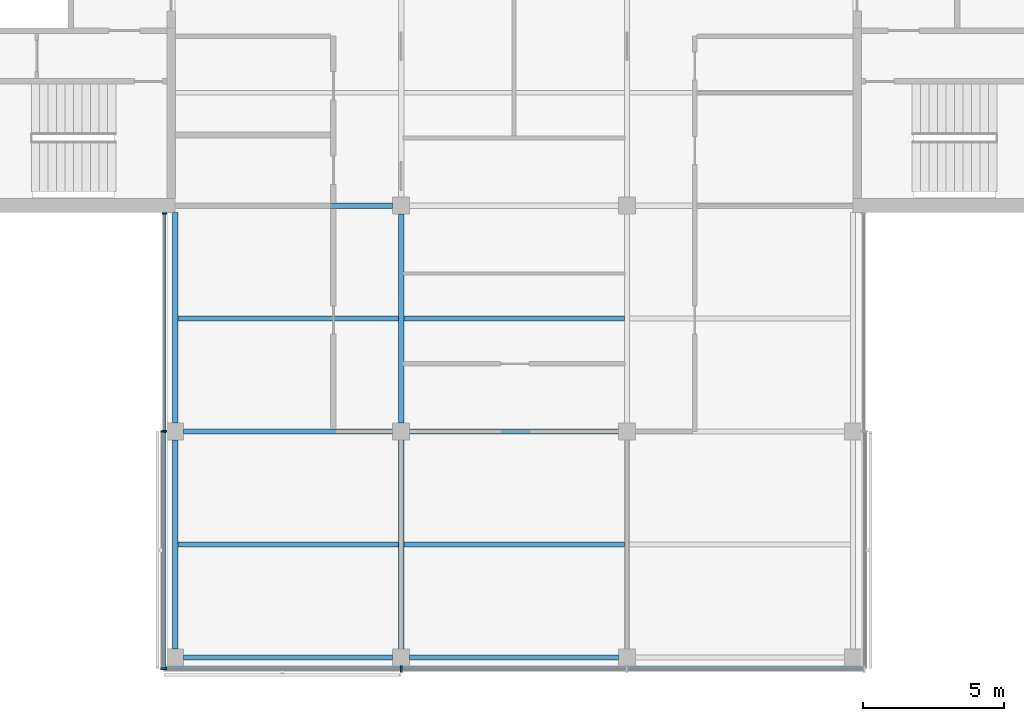
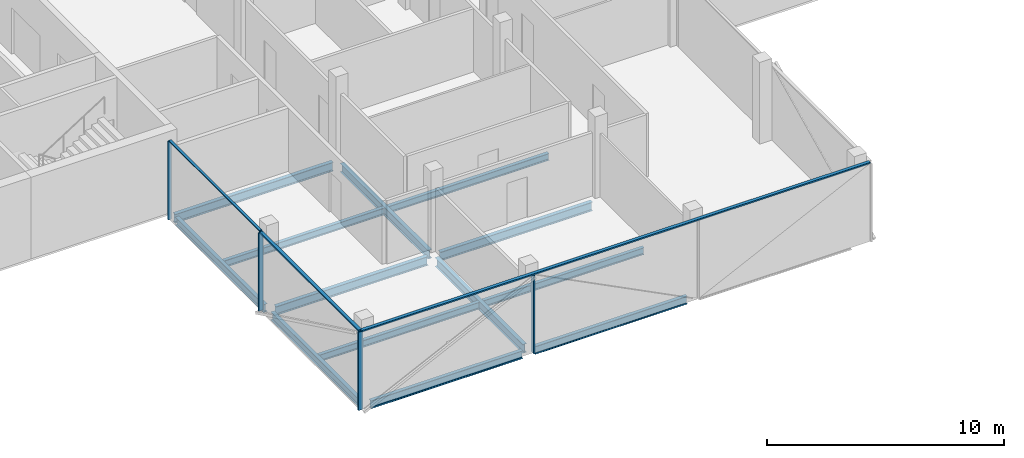
# One storey, part 2 of 16: 13 beams, 8 members, 3 elements without a shape of their own.
"""IFC4 building model written with IfcOpenShell, lengths in metres."""

from ifc_helpers import new_model, si_unit, direction, frame, origin, origin_2d, place, context, subcontext, project, spatial, rectangle, i_section, extrude, material, material_profile, profile_set, type_object, element, aggregate, save


model = new_model("IFC4")

# Units and contexts
model_context = context("Model", 3, precision=1e-05, world=origin(), true_north=direction((0.0, 1.0)))
body_context = subcontext(model_context, "Body", "Model", "MODEL_VIEW")
ifc_project = project(units=[si_unit("LENGTHUNIT", "METRE"), si_unit("AREAUNIT", "SQUARE_METRE"), si_unit("VOLUMEUNIT", "CUBIC_METRE"), si_unit("PLANEANGLEUNIT", "RADIAN"), si_unit("MASSUNIT", "GRAM", prefix="KILO")], contexts=[model_context])

# Site, building, storey
site_placement = place(None, origin())
site = spatial("IfcSite", under=ifc_project, at=site_placement, CompositionType="ELEMENT")
building_placement = place(site_placement, origin())
building = spatial("IfcBuilding", under=site, at=building_placement, Name="Crosswind Convention Tower", CompositionType="ELEMENT")
storey_placement = place(building_placement, frame((0.0, 0.0, 299.699951171875)))
storey = spatial("IfcBuildingStorey", under=building, at=storey_placement, Name="L65", CompositionType="ELEMENT", Elevation=299.699951171875)

# Beams
ifc_material_1 = material(Name="Steel S355", Category="steel")
ifc_material_profile_1 = material_profile(ifc_material_1, i_section(OverallWidth=0.177734375, OverallDepth=0.406494140625, WebThickness=0.0078125, FlangeThickness=0.0126953125, FilletRadius=0.01025390625, at=origin_2d()), Name="UB 406x178x60")
ifc_profile_set_1 = profile_set([ifc_material_profile_1], Name="Steel S355")
beam_type_1 = type_object("IfcBeamType", Name="Edge beam UB 406x178x60", PredefinedType="SPANDREL", material=ifc_profile_set_1)
beam_1_placement = place(storey_placement, frame((113.0, 72.300048828125, -0.503173828125), z_axis=(0.0, 1.0, 0.0), x_axis=(-1.0, 0.0, 0.0)))
element("IfcBeam", 1, at=beam_1_placement, inside=storey, type_object=beam_type_1, Name="B15 L65 edge beam 1", PredefinedType="SPANDREL", context=body_context, shape_type="SweptSolid", body=[
    extrude(i_section(OverallWidth=0.177734375, OverallDepth=0.406494140625, WebThickness=0.0078125, FlangeThickness=0.0126953125, FilletRadius=0.01025390625, at=origin_2d()), origin(), (0.0, 0.0, 1.0), 7.39990234375),
])
beam_2_placement = place(storey_placement, frame((113.0, 80.300048828125, -0.503173828125), z_axis=(0.0, 1.0, 0.0), x_axis=(-1.0, 0.0, 0.0)))
element("IfcBeam", 2, at=beam_2_placement, inside=storey, type_object=beam_type_1, Name="B15 L65 edge beam 2", PredefinedType="SPANDREL", context=body_context, shape_type="SweptSolid", body=[
    extrude(i_section(OverallWidth=0.177734375, OverallDepth=0.406494140625, WebThickness=0.0078125, FlangeThickness=0.0126953125, FilletRadius=0.01025390625, at=origin_2d()), origin(), (0.0, 0.0, 1.0), 7.449951171875),
])
for number, where, z_axis, x_axis, name in (
    (3, (113.300048828125, 72.0, -0.503173828125), (1.0, 0.0, 0.0), (0.0, 1.0, 0.0), "B15 L65 edge beam 5"),
    (4, (121.300048828125, 72.0, -0.503173828125), (1.0, 0.0, 0.0), (0.0, 1.0, 0.0), "B15 L65 edge beam 7"),
):
    element("IfcBeam", number, at=place(storey_placement, frame(where, z_axis=z_axis, x_axis=x_axis)), inside=storey, type_object=beam_type_1, Name=name, PredefinedType="SPANDREL", context=body_context, shape_type="SweptSolid", body=[
        extrude(i_section(OverallWidth=0.177734375, OverallDepth=0.406494140625, WebThickness=0.0078125, FlangeThickness=0.0126953125, FilletRadius=0.01025390625, at=origin_2d()), origin(), (0.0, 0.0, 1.0), 7.39990234375),
    ])
ifc_material_profile_2 = material_profile(ifc_material_1, i_section(OverallWidth=0.18994140625, OverallDepth=0.45361328125, WebThickness=0.008544921875, FlangeThickness=0.0126953125, FilletRadius=0.01025390625, at=origin_2d()), Name="UB 457x191x67")
ifc_profile_set_2 = profile_set([ifc_material_profile_2], Name="Steel S355")
beam_type_2 = type_object("IfcBeamType", Name="Girder UB 457x191x67", PredefinedType="BEAM", material=ifc_profile_set_2)
for number, where, z_axis, x_axis, name in (
    (5, (113.300048828125, 80.0, -0.52685546875), (1.0, 0.0, 0.0), (0.0, 1.0, 0.0), "B1 L65 girder 1"),
    (6, (121.0, 72.300048828125, -0.52685546875), (0.0, 1.0, 0.0), (-1.0, 0.0, 0.0), "B1 L65 girder 3"),
    (7, (121.0, 80.300048828125, -0.52685546875), (0.0, 1.0, 0.0), (-1.0, 0.0, 0.0), "B1 L65 girder 4"),
    (8, (121.300048828125, 80.0, -0.52685546875), (1.0, 0.0, 0.0), (0.0, 1.0, 0.0), "B1 L65 girder 10"),
):
    element("IfcBeam", number, at=place(storey_placement, frame(where, z_axis=z_axis, x_axis=x_axis)), inside=storey, type_object=beam_type_2, Name=name, PredefinedType="BEAM", context=body_context, shape_type="SweptSolid", body=[
        extrude(i_section(OverallWidth=0.18994140625, OverallDepth=0.45361328125, WebThickness=0.008544921875, FlangeThickness=0.0126953125, FilletRadius=0.01025390625, at=origin_2d()), origin(), (0.0, 0.0, 1.0), 7.39990234375),
    ])
ifc_material_profile_3 = material_profile(ifc_material_1, i_section(OverallWidth=0.1904296875, OverallDepth=0.457275390625, WebThickness=0.009033203125, FlangeThickness=0.014404296875, FilletRadius=0.01025390625, at=origin_2d()), Name="UB 457x191x75")
ifc_profile_set_3 = profile_set([ifc_material_profile_3], Name="Steel S355")
beam_type_3 = type_object("IfcBeamType", Name="Girder at core wall UB 457x191x75", PredefinedType="BEAM", material=ifc_profile_set_3)
beam_3_placement = place(storey_placement, frame((113.0, 88.0, -0.528564453125), z_axis=(1.0, 0.0, 0.0), x_axis=(0.0, 1.0, 0.0)))
element("IfcBeam", 9, at=beam_3_placement, inside=storey, type_object=beam_type_3, Name="B22 L65 girder at core wall 1", PredefinedType="BEAM", context=body_context, shape_type="SweptSolid", body=[
    extrude(i_section(OverallWidth=0.1904296875, OverallDepth=0.457275390625, WebThickness=0.009033203125, FlangeThickness=0.014404296875, FilletRadius=0.01025390625, at=origin_2d()), origin(), (0.0, 0.0, 1.0), 7.699951171875),
])

# Curtain wall, members
ifc_material_2 = material(Name="Aluminium unitised curtain wall", Category="aluminium")
curtain_wall_type_1 = type_object("IfcCurtainWallType", Name="CORE END SLOT WALL 160", PredefinedType="USERDEFINED", material=ifc_material_2)
curtain_wall_1_placement = place(storey_placement, origin())
curtain_wall_1 = element("IfcCurtainWall", 10, at=curtain_wall_1_placement, inside=storey, type_object=curtain_wall_type_1, Name="CW6 L65 S-W.1-1 slot", ObjectType="UNITISED", PredefinedType="USERDEFINED")
ifc_material_3 = material(Name="Aluminium mullion", Category="aluminium")
ifc_material_profile_4 = material_profile(ifc_material_3, rectangle(XDim=0.159912109375, YDim=0.050048828125, at=origin_2d()), Name="AL 160X50")
ifc_profile_set_4 = profile_set([ifc_material_profile_4], Name="Aluminium mullion")
member_type_1 = type_object("IfcMemberType", Name="MULLION 50X160", PredefinedType="MULLION", material=ifc_profile_set_4)
member_1_placement = place(storey_placement, frame((112.6201171875, 87.72509765625, -0.300048828125), z_axis=(0.0, 0.0, 1.0), x_axis=(-1.0, 0.0, 0.0)))
member_1 = element("IfcMember", 11, at=member_1_placement, type_object=member_type_1, Name="CW6 mullion 1", PredefinedType="MULLION", context=body_context, shape_type="SweptSolid", body=[
    extrude(rectangle(XDim=0.159912109375, YDim=0.050048828125, at=origin_2d()), origin(), (0.0, 0.0, 1.0), 4.050048828125),
])
member_2_placement = place(storey_placement, frame((112.6201171875, 80.02490234375, -0.300048828125), z_axis=(0.0, 0.0, 1.0), x_axis=(-1.0, 0.0, 0.0)))
member_2 = element("IfcMember", 12, at=member_2_placement, type_object=member_type_1, Name="CW6 mullion 2", PredefinedType="MULLION", context=body_context, shape_type="SweptSolid", body=[
    extrude(rectangle(XDim=0.159912109375, YDim=0.050048828125, at=origin_2d()), origin(), (0.0, 0.0, 1.0), 4.050048828125),
])

curtain_wall_type_2 = type_object("IfcCurtainWallType", Name="OFFICE UNITISED WALL 220", PredefinedType="USERDEFINED", material=ifc_material_2)
curtain_wall_2_placement = place(storey_placement, origin())
curtain_wall_2 = element("IfcCurtainWall", 13, at=curtain_wall_2_placement, inside=storey, type_object=curtain_wall_type_2, Name="CW3 L65 S-W 1", ObjectType="UNITISED", PredefinedType="USERDEFINED")
ifc_material_profile_5 = material_profile(ifc_material_3, rectangle(XDim=0.219970703125, YDim=0.070068359375, at=origin_2d()), Name="AL 220X70")
ifc_profile_set_5 = profile_set([ifc_material_profile_5], Name="Aluminium mullion")
member_type_2 = type_object("IfcMemberType", Name="MULLION 70X220", PredefinedType="MULLION", material=ifc_profile_set_5)
member_3_placement = place(storey_placement, frame((112.590087890625, 80.0, -0.300048828125), z_axis=(0.0, 0.0, 1.0), x_axis=(-1.0, 0.0, 0.0)))
member_3 = element("IfcMember", 14, at=member_3_placement, type_object=member_type_2, Name="CW3 mullion 1", PredefinedType="MULLION", context=body_context, shape_type="SweptSolid", body=[
    extrude(rectangle(XDim=0.219970703125, YDim=0.070068359375, at=origin_2d()), origin(), (0.0, 0.0, 1.0), 4.030029296875),
])
member_4_placement = place(storey_placement, frame((112.590087890625, 71.590087890625, -0.300048828125), z_axis=(0.0, 0.0, 1.0), x_axis=(-1.0, 0.0, 0.0)))
member_4 = element("IfcMember", 15, at=member_4_placement, type_object=member_type_2, Name="CW3 mullion 2", PredefinedType="MULLION", context=body_context, shape_type="SweptSolid", body=[
    extrude(rectangle(XDim=0.219970703125, YDim=0.070068359375, at=origin_2d()), origin(), (0.0, 0.0, 1.0), 4.030029296875),
])

# Curtain wall, member
curtain_wall_3_placement = place(storey_placement, origin())
curtain_wall_3 = element("IfcCurtainWall", 16, at=curtain_wall_3_placement, inside=storey, type_object=curtain_wall_type_2, Name="CW3 L65 S-TIP 1", ObjectType="UNITISED", PredefinedType="USERDEFINED")
member_5_placement = place(storey_placement, frame((121.0, 71.590087890625, -0.300048828125), z_axis=(0.0, 0.0, 1.0), x_axis=(0.0, -1.0, 0.0)))
member_5 = element("IfcMember", 17, at=member_5_placement, type_object=member_type_2, Name="CW3 mullion 2", PredefinedType="MULLION", context=body_context, shape_type="SweptSolid", body=[
    extrude(rectangle(XDim=0.219970703125, YDim=0.070068359375, at=origin_2d()), origin(), (0.0, 0.0, 1.0), 4.030029296875),
])

# Beams
ifc_material_profile_6 = material_profile(ifc_material_1, i_section(OverallWidth=0.17138671875, OverallDepth=0.355712890625, WebThickness=0.00732421875, FlangeThickness=0.011474609375, FilletRadius=0.01025390625, at=origin_2d()), Name="UB 356x171x51")
ifc_profile_set_6 = profile_set([ifc_material_profile_6], Name="Steel S355")
beam_type_4 = type_object("IfcBeamType", Name="Secondary beam UB 356x171x51", PredefinedType="JOIST", material=ifc_profile_set_6)
for number, where, z_axis, x_axis, name in (
    (18, (113.0888671875, 76.0, -0.477783203125), (1.0, 0.0, 0.0), (0.0, 1.0, 0.0), "B8 L65 secondary beam 4"),
    (19, (113.0888671875, 84.0, -0.477783203125), (1.0, 0.0, 0.0), (0.0, 1.0, 0.0), "B8 L65 secondary beam 5"),
):
    element("IfcBeam", number, at=place(storey_placement, frame(where, z_axis=z_axis, x_axis=x_axis)), inside=storey, type_object=beam_type_4, Name=name, PredefinedType="JOIST", context=body_context, shape_type="SweptSolid", body=[
        extrude(i_section(OverallWidth=0.17138671875, OverallDepth=0.355712890625, WebThickness=0.00732421875, FlangeThickness=0.011474609375, FilletRadius=0.01025390625, at=origin_2d()), origin(), (0.0, 0.0, 1.0), 7.816162109375),
    ])
for number, where, z_axis, x_axis, name in (
    (20, (121.094970703125, 76.0, -0.477783203125), (1.0, 0.0, 0.0), (0.0, 1.0, 0.0), "B8 L65 secondary beam 8"),
    (21, (121.094970703125, 84.0, -0.477783203125), (1.0, 0.0, 0.0), (0.0, 1.0, 0.0), "B8 L65 secondary beam 9"),
):
    element("IfcBeam", number, at=place(storey_placement, frame(where, z_axis=z_axis, x_axis=x_axis)), inside=storey, type_object=beam_type_4, Name=name, PredefinedType="JOIST", context=body_context, shape_type="SweptSolid", body=[
        extrude(i_section(OverallWidth=0.17138671875, OverallDepth=0.355712890625, WebThickness=0.00732421875, FlangeThickness=0.011474609375, FilletRadius=0.01025390625, at=origin_2d()), origin(), (0.0, 0.0, 1.0), 7.81005859375),
    ])

# Member
ifc_material_4 = material(Name="Aluminium transom", Category="aluminium")
ifc_material_profile_7 = material_profile(ifc_material_4, rectangle(XDim=0.1201171875, YDim=0.050048828125, at=origin_2d()), Name="AL 120X50")
ifc_profile_set_7 = profile_set([ifc_material_profile_7], Name="Aluminium transom")
member_type_3 = type_object("IfcMemberType", Name="TRANSOM 50X120", PredefinedType="USERDEFINED", material=ifc_profile_set_7)
member_6_placement = place(storey_placement, frame((112.6201171875, 87.699951171875, 3.775146484375), z_axis=(0.0, -1.0, 0.0), x_axis=(1.0, 0.0, 0.0)))
member_6 = element("IfcMember", 22, at=member_6_placement, type_object=member_type_3, Name="CW6 transom", ObjectType="TRANSOM", PredefinedType="USERDEFINED", context=body_context, shape_type="SweptSolid", body=[
    extrude(rectangle(XDim=0.1201171875, YDim=0.050048828125, at=origin_2d()), origin(), (0.0, 0.0, 1.0), 7.64990234375),
])

aggregate(curtain_wall_1, [member_1, member_2, member_6])

ifc_material_profile_8 = material_profile(ifc_material_4, rectangle(XDim=0.159912109375, YDim=0.070068359375, at=origin_2d()), Name="AL 160X70")
ifc_profile_set_8 = profile_set([ifc_material_profile_8], Name="Aluminium transom")
member_type_4 = type_object("IfcMemberType", Name="TRANSOM 70X160", PredefinedType="USERDEFINED", material=ifc_profile_set_8)
member_7_placement = place(storey_placement, frame((112.590087890625, 79.965087890625, 3.76513671875), z_axis=(0.0, -1.0, 0.0), x_axis=(1.0, 0.0, 0.0)))
member_7 = element("IfcMember", 23, at=member_7_placement, type_object=member_type_4, Name="CW3 transom", ObjectType="TRANSOM", PredefinedType="USERDEFINED", context=body_context, shape_type="SweptSolid", body=[
    extrude(rectangle(XDim=0.159912109375, YDim=0.070068359375, at=origin_2d()), origin(), (0.0, 0.0, 1.0), 8.340087890625),
])

aggregate(curtain_wall_2, [member_3, member_4, member_7])

member_8_placement = place(storey_placement, frame((112.625, 71.590087890625, 3.76513671875), z_axis=(1.0, 0.0, 0.0), x_axis=(0.0, 1.0, 0.0)))
member_8 = element("IfcMember", 24, at=member_8_placement, type_object=member_type_4, Name="CW3 transom", ObjectType="TRANSOM", PredefinedType="USERDEFINED", context=body_context, shape_type="SweptSolid", body=[
    extrude(rectangle(XDim=0.159912109375, YDim=0.070068359375, at=origin_2d()), origin(), (0.0, 0.0, 1.0), 24.75),
])

aggregate(curtain_wall_3, [member_5, member_8])

save(model, "model.ifc")
